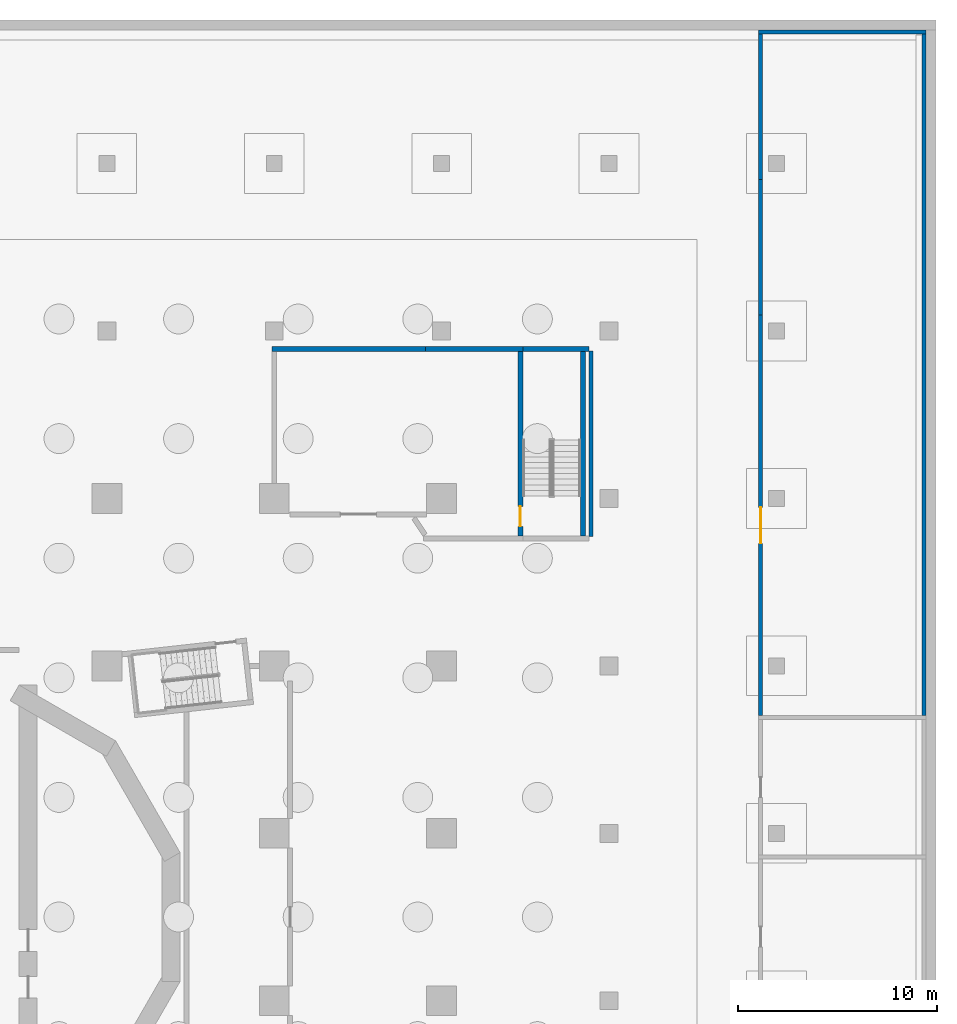
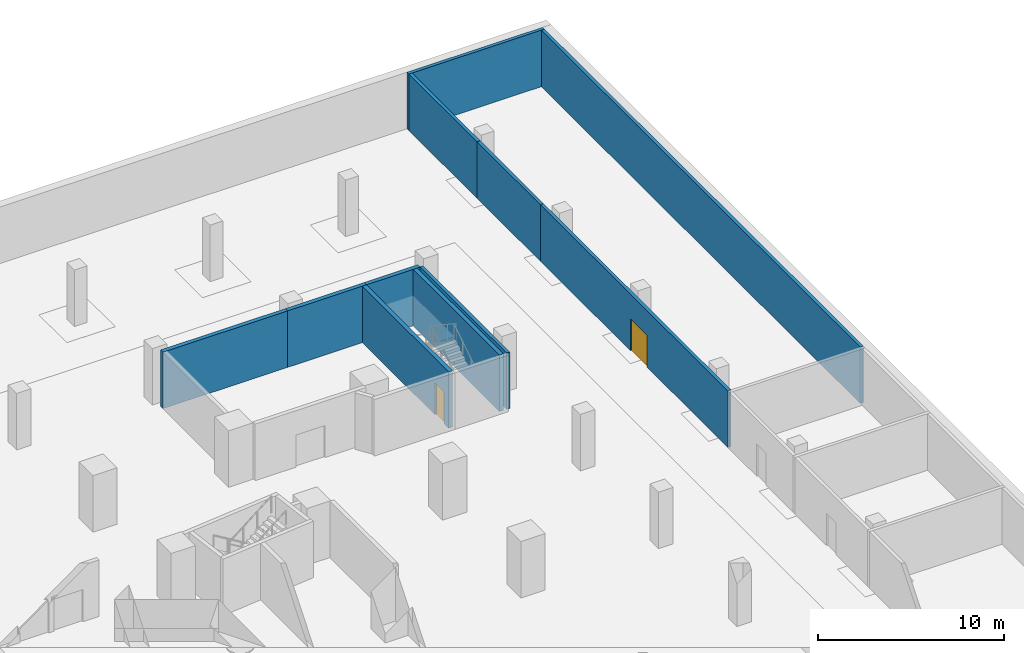
# One storey, part 12 of 20: 11 walls, 2 doors, 2 openings.
"""IFC4 building model written with IfcOpenShell, lengths in metres."""

from ifc_helpers import new_model, si_unit, direction, frame, frame_2d, origin, place, context, subcontext, project, spatial, rectangle, extrude, material, layer, layer_set, type_object, element, fill, save


model = new_model("IFC4")

# Units and contexts
model_context = context("Model", 3, precision=1e-05, world=origin(), true_north=direction((0.0, 1.0)))
body_context = subcontext(model_context, "Body", "Model", "MODEL_VIEW")
ifc_project = project(units=[si_unit("LENGTHUNIT", "METRE"), si_unit("AREAUNIT", "SQUARE_METRE"), si_unit("VOLUMEUNIT", "CUBIC_METRE"), si_unit("PLANEANGLEUNIT", "RADIAN"), si_unit("MASSUNIT", "GRAM", prefix="KILO")], contexts=[model_context])

# Site, building, storey
site_placement = place(None, origin())
site = spatial("IfcSite", under=ifc_project, at=site_placement, CompositionType="ELEMENT")
building_placement = place(site_placement, origin())
building = spatial("IfcBuilding", under=site, at=building_placement, Name="Cantera Rosa Tower", CompositionType="ELEMENT")
storey_placement = place(building_placement, frame((0.0, 0.0, -17.0)))
storey = spatial("IfcBuildingStorey", under=building, at=storey_placement, Name="B4", CompositionType="ELEMENT", Elevation=-17.0)

# Walls
ifc_material_1 = material(Name="Masonry blockwork", Category="masonry")
ifc_layer_1 = layer(ifc_material_1, 0.199951171875)
ifc_layer_set_1 = layer_set([ifc_layer_1], Name="Blockwork partition 200")
wall_type_1 = type_object("IfcWallType", Name="Blockwork partition 200", PredefinedType="PARTITIONING", material=ifc_layer_set_1)
wall_1_placement = place(storey_placement, frame((32.699951171875, 19.10009765625, 0.0), z_axis=(0.0, 0.0, 1.0), x_axis=(0.0, 1.0, 0.0)))
element("IfcWall", 1, at=wall_1_placement, inside=storey, type_object=wall_type_1, Name="Partition B4-33", PredefinedType="PARTITIONING", context=body_context, shape_type="SweptSolid", body=[
    extrude(rectangle(XDim=9.2998046875, YDim=0.199951171875, at=frame_2d((4.64990234375, 0.0))), origin(), (0.0, 0.0, 1.0), 3.699951171875),
])
wall_2_placement = place(storey_placement, frame((49.39990234375, 10.10009765625, 0.0), z_axis=(0.0, 0.0, 1.0), x_axis=(0.0, 1.0, 0.0)))
element("IfcWall", 2, at=wall_2_placement, inside=storey, type_object=wall_type_1, Name="Partition B4-67", PredefinedType="PARTITIONING", context=body_context, shape_type="SweptSolid", body=[
    extrude(rectangle(XDim=34.199951171875, YDim=0.199951171875, at=frame_2d((17.10009765625, 0.0))), origin(), (0.0, 0.0, 1.0), 3.699951171875),
])

# Wall, opening, door
wall_3_placement = place(storey_placement, frame((41.199951171875, 10.10009765625, 0.0), z_axis=(0.0, 0.0, 1.0), x_axis=(0.0, 1.0, 0.0)))
wall_3 = element("IfcWall", 3, at=wall_3_placement, inside=storey, type_object=wall_type_1, Name="Partition B4-74", PredefinedType="PARTITIONING", context=body_context, shape_type="SweptSolid", body=[
    extrude(rectangle(XDim=20.099853515625, YDim=0.199951171875, at=frame_2d((10.0498046875, 0.0))), origin(), (0.0, 0.0, 1.0), 3.699951171875),
])
opening_1_placement = place(wall_3_placement, frame((8.64990234375, 0.0, 0.0)))
opening_1 = element("IfcOpeningElement", 4, at=opening_1_placement, cuts=wall_3, Name="Opening B4-016", PredefinedType="OPENING", context=body_context, shape_type="SweptSolid", body=[
    extrude(rectangle(XDim=1.800048828125, YDim=2.10009765625, at=frame_2d((0.89990234375, 1.050048828125))), frame((0.0, 0.10986328125, 0.0), z_axis=(0.0, -1.0, 0.0), x_axis=(1.0, 0.0, 0.0)), (0.0, 0.0, 1.0), 0.219970703125),
])
ifc_material_2 = material(Name="Timber", Category="wood")
door_type_1 = type_object("IfcDoorType", Name="Double door 1800x2100", OperationType="NOTDEFINED", PredefinedType="DOOR", material=ifc_material_2)
door_1_placement = place(opening_1_placement, origin())
door_1 = element("IfcDoor", 5, at=door_1_placement, inside=storey, type_object=door_type_1, Name="Door B4-016", OperationType="DOUBLE_DOOR_SINGLE_SWING", OverallHeight=2.10009765625, OverallWidth=1.800048828125, PredefinedType="DOOR", context=body_context, shape_type="SweptSolid", body=[
    extrude(rectangle(XDim=1.800048828125, YDim=2.10009765625, at=frame_2d((0.89990234375, 1.050048828125))), frame((0.0, 0.02490234375, 0.0), z_axis=(0.0, -1.0, 0.0), x_axis=(1.0, 0.0, 0.0)), (0.0, 0.0, 1.0), 0.050048828125),
])
fill(opening_1, door_1)

# Walls
wall_4_placement = place(storey_placement, frame((41.199951171875, 30.199951171875, 0.0), z_axis=(0.0, 0.0, 1.0), x_axis=(0.0, 1.0, 0.0)))
element("IfcWall", 6, at=wall_4_placement, inside=storey, type_object=wall_type_1, Name="Partition B4-75", PredefinedType="PARTITIONING", context=body_context, shape_type="SweptSolid", body=[
    extrude(rectangle(XDim=6.800048828125, YDim=0.199951171875, at=frame_2d((3.39990234375, 0.0))), origin(), (0.0, 0.0, 1.0), 3.699951171875),
])
wall_5_placement = place(storey_placement, frame((41.199951171875, 37.0, 0.0), z_axis=(0.0, 0.0, 1.0), x_axis=(0.0, 1.0, 0.0)))
element("IfcWall", 7, at=wall_5_placement, inside=storey, type_object=wall_type_1, Name="Partition B4-76", PredefinedType="PARTITIONING", context=body_context, shape_type="SweptSolid", body=[
    extrude(rectangle(XDim=7.300048828125, YDim=0.199951171875, at=frame_2d((3.64990234375, 0.0))), origin(), (0.0, 0.0, 1.0), 3.699951171875),
])
wall_6_placement = place(storey_placement, frame((41.10009765625, 44.39990234375, 0.0), z_axis=(0.0, 0.0, 1.0), x_axis=(1.0, 0.0, 0.0)))
element("IfcWall", 8, at=wall_6_placement, inside=storey, type_object=wall_type_1, Name="Partition B4-80", PredefinedType="PARTITIONING", context=body_context, shape_type="SweptSolid", body=[
    extrude(rectangle(XDim=8.39990234375, YDim=0.199951171875, at=frame_2d((4.199951171875, 0.0))), origin(), (0.0, 0.0, 1.0), 3.699951171875),
])
ifc_material_3 = material(Name="Concrete C50/60", Category="concrete")
ifc_layer_2 = layer(ifc_material_3, 0.25)
ifc_layer_set_2 = layer_set([ifc_layer_2], Name="External stair wall 250")
wall_type_2 = type_object("IfcWallType", Name="External stair wall 250", PredefinedType="SOLIDWALL", material=ifc_layer_set_2)
wall_7_placement = place(storey_placement, frame((29.27490234375, 28.5, 0.0), z_axis=(0.0, 0.0, 1.0), x_axis=(1.0, 0.0, 0.0)))
element("IfcWall", 9, at=wall_7_placement, inside=storey, type_object=wall_type_2, Name="Stair wall B4-24", PredefinedType="SOLIDWALL", context=body_context, shape_type="SweptSolid", body=[
    extrude(rectangle(XDim=3.3251953125, YDim=0.25, at=frame_2d((1.66259765625, 0.0))), origin(), (0.0, 0.0, 1.0), 3.699951171875),
])
ifc_material_4 = material(Name="Masonry blockwork", Category="masonry")
ifc_layer_3 = layer(ifc_material_4, 0.25)
ifc_layer_set_3 = layer_set([ifc_layer_3], Name="Fire-rated external wall 250")
wall_type_3 = type_object("IfcWallType", Name="Fire-rated external wall 250", PredefinedType="PARTITIONING", material=ifc_layer_set_3)
wall_8_placement = place(storey_placement, frame((16.675048828125, 28.5, 0.0), z_axis=(0.0, 0.0, 1.0), x_axis=(1.0, 0.0, 0.0)))
element("IfcWall", 10, at=wall_8_placement, inside=storey, type_object=wall_type_3, Name="Fire wall B4-22", PredefinedType="PARTITIONING", context=body_context, shape_type="SweptSolid", body=[
    extrude(rectangle(XDim=7.724853515625, YDim=0.25, at=frame_2d((3.8623046875, 0.0))), origin(), (0.0, 0.0, 1.0), 3.699951171875),
])
wall_9_placement = place(storey_placement, frame((24.39990234375, 28.5, 0.0), z_axis=(0.0, 0.0, 1.0), x_axis=(1.0, 0.0, 0.0)))
element("IfcWall", 11, at=wall_9_placement, inside=storey, type_object=wall_type_3, Name="Fire wall B4-23", PredefinedType="PARTITIONING", context=body_context, shape_type="SweptSolid", body=[
    extrude(rectangle(XDim=4.875, YDim=0.25, at=frame_2d((2.4375, 0.0))), origin(), (0.0, 0.0, 1.0), 3.699951171875),
])
ifc_material_5 = material(Name="Concrete C50/60", Category="concrete")
ifc_layer_4 = layer(ifc_material_5, 0.25)
ifc_layer_set_4 = layer_set([ifc_layer_4], Name="RC stair wall 250 C50/60")
wall_type_4 = type_object("IfcWallType", Name="RC stair wall 250", PredefinedType="SOLIDWALL", material=ifc_layer_set_4)
wall_10_placement = place(storey_placement, frame((32.300048828125, 19.125, 0.0), z_axis=(0.0, 0.0, 1.0), x_axis=(0.0, 1.0, 0.0)))
element("IfcWall", 12, at=wall_10_placement, inside=storey, type_object=wall_type_4, Name="Stair wall B4-17", PredefinedType="SOLIDWALL", context=body_context, shape_type="SweptSolid", body=[
    extrude(rectangle(XDim=9.25, YDim=0.25, at=frame_2d((4.625, 0.0))), origin(), (0.0, 0.0, 1.0), 3.699951171875),
])

# Wall, opening, door
wall_11_placement = place(storey_placement, frame((29.14990234375, 19.125, 0.0), z_axis=(0.0, 0.0, 1.0), x_axis=(0.0, 1.0, 0.0)))
wall_11 = element("IfcWall", 13, at=wall_11_placement, inside=storey, type_object=wall_type_4, Name="Stair wall B4-26", PredefinedType="SOLIDWALL", context=body_context, shape_type="SweptSolid", body=[
    extrude(rectangle(XDim=9.25, YDim=0.25, at=frame_2d((4.625, 0.0))), origin(), (0.0, 0.0, 1.0), 3.699951171875),
])
opening_2_placement = place(wall_11_placement, frame((0.47509765625, 0.0, 0.0)))
opening_2 = element("IfcOpeningElement", 14, at=opening_2_placement, cuts=wall_11, Name="Opening B4-002", PredefinedType="OPENING", context=body_context, shape_type="SweptSolid", body=[
    extrude(rectangle(XDim=1.0, YDim=2.10009765625, at=frame_2d((0.5, 1.050048828125))), frame((0.0, 0.135009765625, 0.0), z_axis=(0.0, -1.0, 0.0), x_axis=(1.0, 0.0, 0.0)), (0.0, 0.0, 1.0), 0.27001953125),
])
ifc_material_6 = material(Name="Steel S355J2 (EN 10025-2)", Category="steel")
door_type_2 = type_object("IfcDoorType", Name="Fire door 1000x2100 EI 120", OperationType="NOTDEFINED", PredefinedType="DOOR", material=ifc_material_6)
door_2_placement = place(opening_2_placement, origin())
door_2 = element("IfcDoor", 15, at=door_2_placement, inside=storey, type_object=door_type_2, Name="Door B4-002", OverallHeight=2.10009765625, OverallWidth=1.0, PredefinedType="DOOR", context=body_context, shape_type="SweptSolid", body=[
    extrude(rectangle(XDim=1.0, YDim=2.10009765625, at=frame_2d((0.5, 1.050048828125))), frame((0.0, 0.02490234375, 0.0), z_axis=(0.0, -1.0, 0.0), x_axis=(1.0, 0.0, 0.0)), (0.0, 0.0, 1.0), 0.050048828125),
])
fill(opening_2, door_2)

save(model, "model.ifc")
